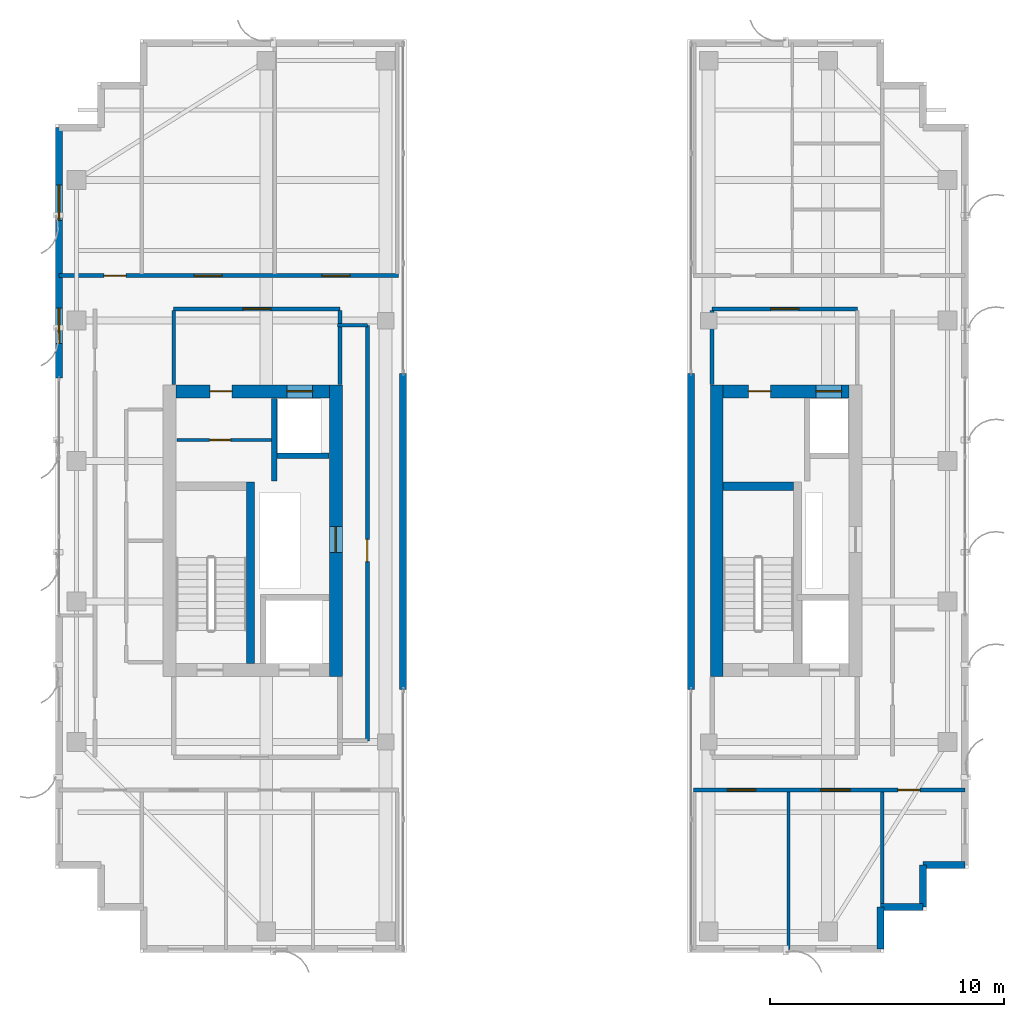
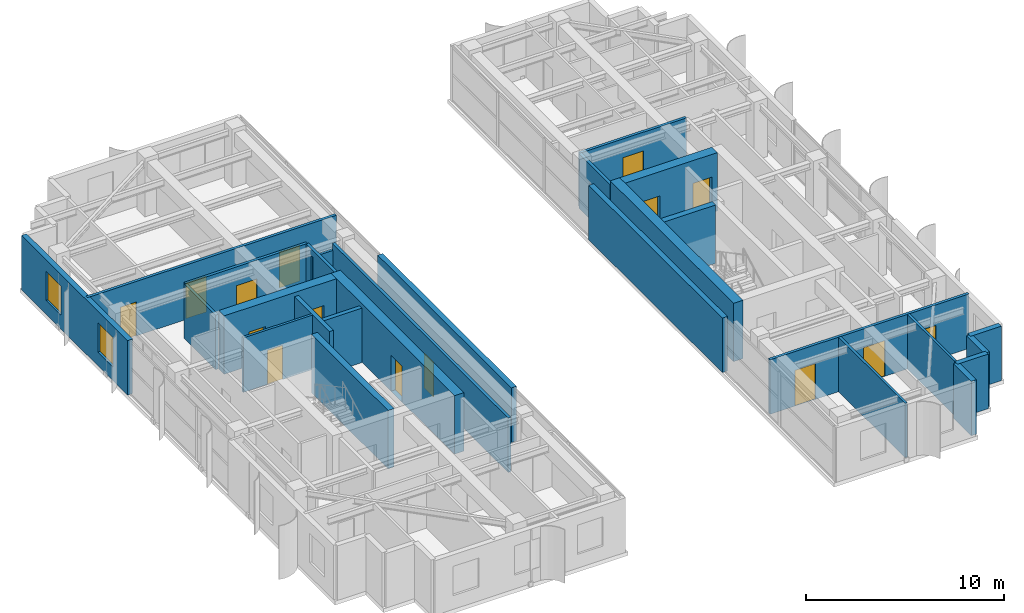
# One storey, part 19 of 24: 27 walls, 15 doors, 2 windows, 17 openings.
"""IFC4 building model written with IfcOpenShell, lengths in metres."""

from ifc_helpers import new_model, si_unit, direction, frame, frame_2d, origin, place, context, subcontext, project, spatial, rectangle, extrude, source, transform, mapped, material, layer, layer_set, type_object, element, fill, save


model = new_model("IFC4")

# Units and contexts
model_context = context("Model", 3, precision=1e-05, world=origin(), true_north=direction((0.0, 1.0)))
body_context = subcontext(model_context, "Body", "Model", "MODEL_VIEW")
ifc_project = project(units=[si_unit("LENGTHUNIT", "METRE"), si_unit("AREAUNIT", "SQUARE_METRE"), si_unit("VOLUMEUNIT", "CUBIC_METRE"), si_unit("PLANEANGLEUNIT", "RADIAN"), si_unit("MASSUNIT", "GRAM", prefix="KILO")], contexts=[model_context])

# Site, building, storey
site_placement = place(None, origin())
site = spatial("IfcSite", under=ifc_project, at=site_placement, CompositionType="ELEMENT")
building_placement = place(site_placement, origin())
building = spatial("IfcBuilding", under=site, at=building_placement, Name="Khoralis Quay Care Tower", CompositionType="ELEMENT")
storey_placement = place(building_placement, frame((0.0, 0.0, 249.300048828125)))
storey = spatial("IfcBuildingStorey", under=building, at=storey_placement, Name="L65", CompositionType="ELEMENT", Elevation=249.300048828125)

# Wall, opening, door
ifc_material_1 = material(Name="Concrete C65/80", Category="concrete")
ifc_layer_1 = layer(ifc_material_1, 0.550048828125)
ifc_layer_set_1 = layer_set([ifc_layer_1], Name="Concrete C65/80")
wall_type_1 = type_object("IfcWallType", Name="WL-CORE-550", PredefinedType="SHEAR", material=ifc_layer_set_1)
wall_1_placement = place(storey_placement, frame((14.97509765625, 14.800048828125, 0.0), z_axis=(0.0, 0.0, 1.0), x_axis=(0.0, 1.0, 0.0)))
wall_1 = element("IfcWall", 1, at=wall_1_placement, inside=storey, type_object=wall_type_1, Name="L65 WCORE East Shear Wall", PredefinedType="SHEAR", context=body_context, shape_type="SweptSolid", body=[
    extrude(rectangle(XDim=12.449951171875, YDim=0.550048828125, at=frame_2d((6.22509765625, 0.0))), origin(), (0.0, 0.0, 1.0), 3.599853515625),
])
opening_1_placement = place(wall_1_placement, frame((5.300048828125, 0.0, 0.0)))
opening_1 = element("IfcOpeningElement", 2, at=opening_1_placement, cuts=wall_1, Name="Opening SD1", PredefinedType="OPENING", context=body_context, shape_type="SweptSolid", body=[
    extrude(rectangle(XDim=1.10009765625, YDim=2.199951171875, at=frame_2d((0.550048828125, 1.10009765625))), frame((0.0, 0.28515625, 0.0), z_axis=(0.0, -1.0, 0.0), x_axis=(1.0, 0.0, 0.0)), (0.0, 0.0, 1.0), 0.570068359375),
])
ifc_material_2 = material(Name="Fire-rated painted steel", Category="steel")
door_type_1 = type_object("IfcDoorType", Name="DR-STAIR-1100X2200", OperationType="NOTDEFINED", PredefinedType="DOOR", material=ifc_material_2)
shared_shape_1 = source(origin(), body_context, "Body", "SweptSolid", [
    extrude(rectangle(XDim=1.10009765625, YDim=2.199951171875, at=frame_2d((0.550048828125, 1.10009765625))), frame((0.0, 0.02490234375, 0.0), z_axis=(0.0, -1.0, 0.0), x_axis=(1.0, 0.0, 0.0)), (0.0, 0.0, 1.0), 0.050048828125),
])
door_1_placement = place(opening_1_placement, origin())
door_1 = element("IfcDoor", 3, at=door_1_placement, inside=storey, type_object=door_type_1, Name="L65 West MEP Riser Door", OperationType="SINGLE_SWING_LEFT", OverallHeight=2.199951171875, OverallWidth=1.10009765625, PredefinedType="DOOR", context=body_context, shape_type="MappedRepresentation", body=[
    mapped(shared_shape_1, transform((0.0, 0.0, 0.0), scale=1.0)),
])
fill(opening_1, door_1)

# Wall, openings, doors
wall_2_placement = place(storey_placement, frame((8.14990234375, 26.97509765625, 0.0), z_axis=(0.0, 0.0, 1.0), x_axis=(1.0, 0.0, 0.0)))
wall_2 = element("IfcWall", 4, at=wall_2_placement, inside=storey, type_object=wall_type_1, Name="L65 WCORE North Shear Wall", PredefinedType="SHEAR", context=body_context, shape_type="SweptSolid", body=[
    extrude(rectangle(XDim=6.550048828125, YDim=0.550048828125, at=frame_2d((3.27490234375, 0.0))), origin(), (0.0, 0.0, 1.0), 3.599853515625),
])
opening_2_placement = place(wall_2_placement, frame((1.449951171875, 0.0, 0.0)))
opening_2 = element("IfcOpeningElement", 5, at=opening_2_placement, cuts=wall_2, Name="Opening ID1", PredefinedType="OPENING", context=body_context, shape_type="SweptSolid", body=[
    extrude(rectangle(XDim=0.949951171875, YDim=2.10009765625, at=frame_2d((0.47509765625, 1.050048828125))), frame((0.0, 0.28515625, 0.0), z_axis=(0.0, -1.0, 0.0), x_axis=(1.0, 0.0, 0.0)), (0.0, 0.0, 1.0), 0.570068359375),
])
opening_3_placement = place(wall_2_placement, frame((4.72998046875, 0.0, 0.0)))
opening_3 = element("IfcOpeningElement", 6, at=opening_3_placement, cuts=wall_2, Name="Opening LD1", PredefinedType="OPENING", context=body_context, shape_type="SweptSolid", body=[
    extrude(rectangle(XDim=1.10009765625, YDim=2.199951171875, at=frame_2d((0.550048828125, 1.10009765625))), frame((0.0, 0.28515625, 0.0), z_axis=(0.0, -1.0, 0.0), x_axis=(1.0, 0.0, 0.0)), (0.0, 0.0, 1.0), 0.570068359375),
])
ifc_material_3 = material(Name="Brushed stainless steel", Category="steel")
door_type_2 = type_object("IfcDoorType", Name="DR-LIFT-1100X2200", OperationType="SLIDING_TO_LEFT", PredefinedType="DOOR", material=ifc_material_3)
shared_shape_2 = source(origin(), body_context, "Body", "SweptSolid", [
    extrude(rectangle(XDim=1.10009765625, YDim=2.199951171875, at=frame_2d((0.550048828125, 1.10009765625))), frame((0.0, 0.02490234375, 0.0), z_axis=(0.0, -1.0, 0.0), x_axis=(1.0, 0.0, 0.0)), (0.0, 0.0, 1.0), 0.050048828125),
])
door_2_placement = place(opening_3_placement, origin())
door_2 = element("IfcDoor", 7, at=door_2_placement, inside=storey, type_object=door_type_2, Name="L65 Lift PLH1 Landing Door", OperationType="SLIDING_TO_LEFT", OverallHeight=2.199951171875, OverallWidth=1.10009765625, PredefinedType="DOOR", context=body_context, shape_type="MappedRepresentation", body=[
    mapped(shared_shape_2, transform((0.0, 0.0, 0.0), scale=1.0)),
])
fill(opening_3, door_2)
ifc_material_4 = material(Name="Acoustic hardwood timber", Category="wood")
door_type_3 = type_object("IfcDoorType", Name="DR-ROOM-950X2100", OperationType="NOTDEFINED", PredefinedType="DOOR", material=ifc_material_4)
shared_shape_3 = source(origin(), body_context, "Body", "SweptSolid", [
    extrude(rectangle(XDim=0.949951171875, YDim=2.10009765625, at=frame_2d((0.47509765625, 1.050048828125))), frame((0.0, 0.02490234375, 0.0), z_axis=(0.0, -1.0, 0.0), x_axis=(1.0, 0.0, 0.0)), (0.0, 0.0, 1.0), 0.050048828125),
])
door_3_placement = place(opening_2_placement, frame((0.949951171875, 0.0, 0.0), z_axis=(0.0, 0.0, 1.0), x_axis=(-1.0, 0.0, 0.0)))
door_3 = element("IfcDoor", 8, at=door_3_placement, inside=storey, type_object=door_type_3, Name="L65 Telemetry Study Door", OperationType="SINGLE_SWING_LEFT", OverallHeight=2.10009765625, OverallWidth=0.949951171875, PredefinedType="DOOR", context=body_context, shape_type="MappedRepresentation", body=[
    mapped(shared_shape_3, transform((0.0, 0.0, 0.0), scale=1.0)),
])
fill(opening_2, door_3)

# Wall
wall_3_placement = place(storey_placement, frame((31.2451171875, 14.800048828125, 0.0), z_axis=(0.0, 0.0, 1.0), x_axis=(0.0, 1.0, 0.0)))
element("IfcWall", 9, at=wall_3_placement, inside=storey, type_object=wall_type_1, Name="L65 ECORE West Shear Wall", PredefinedType="SHEAR", context=body_context, shape_type="SweptSolid", body=[
    extrude(rectangle(XDim=12.449951171875, YDim=0.550048828125, at=frame_2d((6.22509765625, 0.0))), origin(), (0.0, 0.0, 1.0), 3.599853515625),
])

# Wall, openings, doors
wall_4_placement = place(storey_placement, frame((31.52001953125, 26.97509765625, 0.0), z_axis=(0.0, 0.0, 1.0), x_axis=(1.0, 0.0, 0.0)))
wall_4 = element("IfcWall", 10, at=wall_4_placement, inside=storey, type_object=wall_type_1, Name="L65 ECORE North Shear Wall", PredefinedType="SHEAR", context=body_context, shape_type="SweptSolid", body=[
    extrude(rectangle(XDim=5.3798828125, YDim=0.550048828125, at=frame_2d((2.68994140625, 0.0))), origin(), (0.0, 0.0, 1.0), 3.599853515625),
])
opening_4_placement = place(wall_4_placement, frame((1.080078125, 0.0, 0.0)))
opening_4 = element("IfcOpeningElement", 11, at=opening_4_placement, cuts=wall_4, Name="Opening ID1", PredefinedType="OPENING", context=body_context, shape_type="SweptSolid", body=[
    extrude(rectangle(XDim=0.949951171875, YDim=2.10009765625, at=frame_2d((0.47509765625, 1.050048828125))), frame((0.0, 0.28515625, 0.0), z_axis=(0.0, -1.0, 0.0), x_axis=(1.0, 0.0, 0.0)), (0.0, 0.0, 1.0), 0.570068359375),
])
opening_5_placement = place(wall_4_placement, frame((3.9599609375, 0.0, 0.0)))
opening_5 = element("IfcOpeningElement", 12, at=opening_5_placement, cuts=wall_4, Name="Opening LD1", PredefinedType="OPENING", context=body_context, shape_type="SweptSolid", body=[
    extrude(rectangle(XDim=1.10009765625, YDim=2.199951171875, at=frame_2d((0.550048828125, 1.10009765625))), frame((0.0, 0.28515625, 0.0), z_axis=(0.0, -1.0, 0.0), x_axis=(1.0, 0.0, 0.0)), (0.0, 0.0, 1.0), 0.570068359375),
])
door_4_placement = place(opening_5_placement, origin())
door_4 = element("IfcDoor", 13, at=door_4_placement, inside=storey, type_object=door_type_2, Name="L65 Lift PLH2 Landing Door", OperationType="SLIDING_TO_LEFT", OverallHeight=2.199951171875, OverallWidth=1.10009765625, PredefinedType="DOOR", context=body_context, shape_type="MappedRepresentation", body=[
    mapped(shared_shape_2, transform((0.0, 0.0, 0.0), scale=1.0)),
])
fill(opening_5, door_4)
door_5_placement = place(opening_4_placement, frame((0.949951171875, 0.0, 0.0), z_axis=(0.0, 0.0, 1.0), x_axis=(-1.0, 0.0, 0.0)))
door_5 = element("IfcDoor", 14, at=door_5_placement, inside=storey, type_object=door_type_3, Name="L65 Rehab Gym Door", OperationType="SINGLE_SWING_RIGHT", OverallHeight=2.10009765625, OverallWidth=0.949951171875, PredefinedType="DOOR", context=body_context, shape_type="MappedRepresentation", body=[
    mapped(shared_shape_3, transform((0.0, 0.0, 0.0), scale=1.0)),
])
fill(opening_4, door_5)

# Wall, opening, door
ifc_material_5 = material(Name="Gypsum plasterboard on acoustic metal stud")
ifc_layer_2 = layer(ifc_material_5, 0.1650390625)
ifc_layer_set_2 = layer_set([ifc_layer_2], Name="Gypsum plasterboard on acoustic metal stud")
wall_type_2 = type_object("IfcWallType", Name="WL-CORR-165", PredefinedType="PARTITIONING", material=ifc_layer_set_2)
wall_5_placement = place(storey_placement, frame((8.050048828125, 30.5, 0.0), z_axis=(0.0, 0.0, 1.0), x_axis=(1.0, 0.0, 0.0)))
wall_5 = element("IfcWall", 15, at=wall_5_placement, inside=storey, type_object=wall_type_2, Name="L65 West Lift Lobby North Wall", PredefinedType="PARTITIONING", context=body_context, shape_type="SweptSolid", body=[
    extrude(rectangle(XDim=7.099853515625, YDim=0.1650390625, at=frame_2d((3.5498046875, 0.0))), origin(), (0.0, 0.0, 1.0), 3.35986328125),
])
opening_6_placement = place(wall_5_placement, frame((2.949951171875, 0.0, 0.0)))
opening_6 = element("IfcOpeningElement", 16, at=opening_6_placement, cuts=wall_5, Name="Opening FD1", PredefinedType="OPENING", context=body_context, shape_type="SweptSolid", body=[
    extrude(rectangle(XDim=1.199951171875, YDim=2.199951171875, at=frame_2d((0.60009765625, 1.10009765625))), frame((0.0, 0.092529296875, 0.0), z_axis=(0.0, -1.0, 0.0), x_axis=(1.0, 0.0, 0.0)), (0.0, 0.0, 1.0), 0.18505859375),
])
door_type_4 = type_object("IfcDoorType", Name="DR-FFL-1200X2200", OperationType="NOTDEFINED", PredefinedType="DOOR", material=ifc_material_2)
shared_shape_4 = source(origin(), body_context, "Body", "SweptSolid", [
    extrude(rectangle(XDim=1.199951171875, YDim=2.199951171875, at=frame_2d((0.60009765625, 1.10009765625))), frame((0.0, 0.02490234375, 0.0), z_axis=(0.0, -1.0, 0.0), x_axis=(1.0, 0.0, 0.0)), (0.0, 0.0, 1.0), 0.050048828125),
])
door_6_placement = place(opening_6_placement, origin())
door_6 = element("IfcDoor", 17, at=door_6_placement, inside=storey, type_object=door_type_4, Name="L65 West Lift Lobby Double Door", OperationType="DOUBLE_DOOR_SINGLE_SWING", OverallHeight=2.199951171875, OverallWidth=1.199951171875, PredefinedType="DOOR", context=body_context, shape_type="MappedRepresentation", body=[
    mapped(shared_shape_4, transform((0.0, 0.0, 0.0), scale=1.0)),
])
fill(opening_6, door_6)

# Walls
for number, where, z_axis, x_axis, name in (
    (18, (8.050048828125, 27.27001953125, 0.0), (0.0, 0.0, 1.0), (0.0, 1.0, 0.0), "L65 West Lift Lobby West Wall"),
    (19, (15.14990234375, 27.27001953125, 0.0), (0.0, 0.0, 1.0), (0.0, 1.0, 0.0), "L65 West Lift Lobby East Wall"),
):
    element("IfcWall", number, at=place(storey_placement, frame(where, z_axis=z_axis, x_axis=x_axis)), inside=storey, type_object=wall_type_2, Name=name, PredefinedType="PARTITIONING", context=body_context, shape_type="SweptSolid", body=[
        extrude(rectangle(XDim=3.152587890625, YDim=0.1650390625, at=frame_2d((1.576171875, 0.0))), origin(), (0.0, 0.0, 1.0), 3.35986328125),
    ])

# Wall, opening, door
wall_6_placement = place(storey_placement, frame((31.050048828125, 30.5, 0.0), z_axis=(0.0, 0.0, 1.0), x_axis=(1.0, 0.0, 0.0)))
wall_6 = element("IfcWall", 20, at=wall_6_placement, inside=storey, type_object=wall_type_2, Name="L65 East Lift Lobby North Wall", PredefinedType="PARTITIONING", context=body_context, shape_type="SweptSolid", body=[
    extrude(rectangle(XDim=6.199951171875, YDim=0.1650390625, at=frame_2d((3.10009765625, 0.0))), origin(), (0.0, 0.0, 1.0), 3.35986328125),
])
opening_7_placement = place(wall_6_placement, frame((2.5, 0.0, 0.0)))
opening_7 = element("IfcOpeningElement", 21, at=opening_7_placement, cuts=wall_6, Name="Opening FD1", PredefinedType="OPENING", context=body_context, shape_type="SweptSolid", body=[
    extrude(rectangle(XDim=1.199951171875, YDim=2.199951171875, at=frame_2d((0.60009765625, 1.10009765625))), frame((0.0, 0.092529296875, 0.0), z_axis=(0.0, -1.0, 0.0), x_axis=(1.0, 0.0, 0.0)), (0.0, 0.0, 1.0), 0.18505859375),
])
door_7_placement = place(opening_7_placement, origin())
door_7 = element("IfcDoor", 22, at=door_7_placement, inside=storey, type_object=door_type_4, Name="L65 East Lift Lobby Double Door", OperationType="DOUBLE_DOOR_SINGLE_SWING", OverallHeight=2.199951171875, OverallWidth=1.199951171875, PredefinedType="DOOR", context=body_context, shape_type="MappedRepresentation", body=[
    mapped(shared_shape_4, transform((0.0, 0.0, 0.0), scale=1.0)),
])
fill(opening_7, door_7)

# Wall
wall_7_placement = place(storey_placement, frame((31.050048828125, 27.27001953125, 0.0), z_axis=(0.0, 0.0, 1.0), x_axis=(0.0, 1.0, 0.0)))
element("IfcWall", 23, at=wall_7_placement, inside=storey, type_object=wall_type_2, Name="L65 East Lift Lobby West Wall", PredefinedType="PARTITIONING", context=body_context, shape_type="SweptSolid", body=[
    extrude(rectangle(XDim=3.152587890625, YDim=0.1650390625, at=frame_2d((1.576171875, 0.0))), origin(), (0.0, 0.0, 1.0), 3.35986328125),
])

# Wall, openings, doors
wall_8_placement = place(storey_placement, frame((3.14501953125, 31.919921875, 0.0), z_axis=(0.0, 0.0, 1.0), x_axis=(1.0, 0.0, 0.0)))
wall_8 = element("IfcWall", 24, at=wall_8_placement, inside=storey, type_object=wall_type_2, Name="L65 West Wing North Corridor Wall", PredefinedType="PARTITIONING", context=body_context, shape_type="SweptSolid", body=[
    extrude(rectangle(XDim=14.5048828125, YDim=0.1650390625, at=frame_2d((7.25244140625, 0.0))), origin(), (0.0, 0.0, 1.0), 3.35986328125),
])
opening_8_placement = place(wall_8_placement, frame((5.77490234375, 0.0, 0.0)))
opening_8 = element("IfcOpeningElement", 25, at=opening_8_placement, cuts=wall_8, Name="Opening FD1", PredefinedType="OPENING", context=body_context, shape_type="SweptSolid", body=[
    extrude(rectangle(XDim=1.199951171875, YDim=2.199951171875, at=frame_2d((0.60009765625, 1.10009765625))), frame((0.0, 0.092529296875, 0.0), z_axis=(0.0, -1.0, 0.0), x_axis=(1.0, 0.0, 0.0)), (0.0, 0.0, 1.0), 0.18505859375),
])
opening_9_placement = place(wall_8_placement, frame((11.235107421875, 0.0, 0.0)))
opening_9 = element("IfcOpeningElement", 26, at=opening_9_placement, cuts=wall_8, Name="Opening FD1", PredefinedType="OPENING", context=body_context, shape_type="SweptSolid", body=[
    extrude(rectangle(XDim=1.199951171875, YDim=2.199951171875, at=frame_2d((0.60009765625, 1.10009765625))), frame((0.0, 0.092529296875, 0.0), z_axis=(0.0, -1.0, 0.0), x_axis=(1.0, 0.0, 0.0)), (0.0, 0.0, 1.0), 0.18505859375),
])
opening_10_placement = place(wall_8_placement, frame((1.919921875, 0.0, 0.0)))
opening_10 = element("IfcOpeningElement", 27, at=opening_10_placement, cuts=wall_8, Name="Opening ID1", PredefinedType="OPENING", context=body_context, shape_type="SweptSolid", body=[
    extrude(rectangle(XDim=0.949951171875, YDim=2.10009765625, at=frame_2d((0.47509765625, 1.050048828125))), frame((0.0, 0.092529296875, 0.0), z_axis=(0.0, -1.0, 0.0), x_axis=(1.0, 0.0, 0.0)), (0.0, 0.0, 1.0), 0.18505859375),
])
door_8_placement = place(opening_8_placement, origin())
door_8 = element("IfcDoor", 28, at=door_8_placement, inside=storey, type_object=door_type_4, Name="L65 Resident Communal Day Lounge Door", OperationType="DOUBLE_DOOR_SINGLE_SWING", OverallHeight=2.199951171875, OverallWidth=1.199951171875, PredefinedType="DOOR", context=body_context, shape_type="MappedRepresentation", body=[
    mapped(shared_shape_4, transform((0.0, 0.0, 0.0), scale=1.0)),
])
fill(opening_8, door_8)
door_9_placement = place(opening_9_placement, origin())
door_9 = element("IfcDoor", 29, at=door_9_placement, inside=storey, type_object=door_type_4, Name="L65 Resident Communal Day Lounge Door", OperationType="DOUBLE_DOOR_SINGLE_SWING", OverallHeight=2.199951171875, OverallWidth=1.199951171875, PredefinedType="DOOR", context=body_context, shape_type="MappedRepresentation", body=[
    mapped(shared_shape_4, transform((0.0, 0.0, 0.0), scale=1.0)),
])
fill(opening_9, door_9)
door_10_placement = place(opening_10_placement, origin())
door_10 = element("IfcDoor", 30, at=door_10_placement, inside=storey, type_object=door_type_3, Name="L65 NW Corner Door", OperationType="SINGLE_SWING_RIGHT", OverallHeight=2.10009765625, OverallWidth=0.949951171875, PredefinedType="DOOR", context=body_context, shape_type="MappedRepresentation", body=[
    mapped(shared_shape_3, transform((0.0, 0.0, 0.0), scale=1.0)),
])
fill(opening_10, door_10)

# Wall, opening, door
wall_9_placement = place(storey_placement, frame((16.320068359375, 12.050048828125, 0.0), z_axis=(0.0, 0.0, 1.0), x_axis=(0.0, 1.0, 0.0)))
wall_9 = element("IfcWall", 31, at=wall_9_placement, inside=storey, type_object=wall_type_2, Name="L65 Portal Gallery Wall", PredefinedType="PARTITIONING", context=body_context, shape_type="SweptSolid", body=[
    extrude(rectangle(XDim=17.75, YDim=0.1650390625, at=frame_2d((8.875, 0.0))), origin(), (0.0, 0.0, 1.0), 3.35986328125),
])
opening_11_placement = place(wall_9_placement, frame((7.64990234375, 0.0, 0.0)))
opening_11 = element("IfcOpeningElement", 32, at=opening_11_placement, cuts=wall_9, Name="Opening ID1", PredefinedType="OPENING", context=body_context, shape_type="SweptSolid", body=[
    extrude(rectangle(XDim=0.949951171875, YDim=2.10009765625, at=frame_2d((0.47509765625, 1.050048828125))), frame((0.0, 0.092529296875, 0.0), z_axis=(0.0, -1.0, 0.0), x_axis=(1.0, 0.0, 0.0)), (0.0, 0.0, 1.0), 0.18505859375),
])
door_11_placement = place(opening_11_placement, frame((0.949951171875, 0.0, 0.0), z_axis=(0.0, 0.0, 1.0), x_axis=(-1.0, 0.0, 0.0)))
door_11 = element("IfcDoor", 33, at=door_11_placement, inside=storey, type_object=door_type_3, Name="L65 Portal Reading Lounge Door", OperationType="SINGLE_SWING_LEFT", OverallHeight=2.10009765625, OverallWidth=0.949951171875, PredefinedType="DOOR", context=body_context, shape_type="MappedRepresentation", body=[
    mapped(shared_shape_3, transform((0.0, 0.0, 0.0), scale=1.0)),
])
fill(opening_11, door_11)

# Wall, openings, doors
wall_10_placement = place(storey_placement, frame((30.25, 9.949951171875, 0.0), z_axis=(0.0, 0.0, 1.0), x_axis=(1.0, 0.0, 0.0)))
wall_10 = element("IfcWall", 34, at=wall_10_placement, inside=storey, type_object=wall_type_2, Name="L65 East Wing South Corridor Wall", PredefinedType="PARTITIONING", context=body_context, shape_type="SweptSolid", body=[
    extrude(rectangle(XDim=11.60498046875, YDim=0.1650390625, at=frame_2d((5.802490234375, 0.0))), origin(), (0.0, 0.0, 1.0), 3.35986328125),
])
opening_12_placement = place(wall_10_placement, frame((1.455078125, 0.0, 0.0)))
opening_12 = element("IfcOpeningElement", 35, at=opening_12_placement, cuts=wall_10, Name="Opening FD1", PredefinedType="OPENING", context=body_context, shape_type="SweptSolid", body=[
    extrude(rectangle(XDim=1.199951171875, YDim=2.199951171875, at=frame_2d((0.60009765625, 1.10009765625))), frame((0.0, 0.092529296875, 0.0), z_axis=(0.0, -1.0, 0.0), x_axis=(1.0, 0.0, 0.0)), (0.0, 0.0, 1.0), 0.18505859375),
])
opening_13_placement = place(wall_10_placement, frame((5.43994140625, 0.0, 0.0)))
opening_13 = element("IfcOpeningElement", 36, at=opening_13_placement, cuts=wall_10, Name="Opening CD1", PredefinedType="OPENING", context=body_context, shape_type="SweptSolid", body=[
    extrude(rectangle(XDim=1.25, YDim=2.199951171875, at=frame_2d((0.625, 1.10009765625))), frame((0.0, 0.092529296875, 0.0), z_axis=(0.0, -1.0, 0.0), x_axis=(1.0, 0.0, 0.0)), (0.0, 0.0, 1.0), 0.18505859375),
])
opening_14_placement = place(wall_10_placement, frame((8.735107421875, 0.0, 0.0)))
opening_14 = element("IfcOpeningElement", 37, at=opening_14_placement, cuts=wall_10, Name="Opening ID1", PredefinedType="OPENING", context=body_context, shape_type="SweptSolid", body=[
    extrude(rectangle(XDim=0.949951171875, YDim=2.10009765625, at=frame_2d((0.47509765625, 1.050048828125))), frame((0.0, 0.092529296875, 0.0), z_axis=(0.0, -1.0, 0.0), x_axis=(1.0, 0.0, 0.0)), (0.0, 0.0, 1.0), 0.18505859375),
])
door_12_placement = place(opening_12_placement, frame((1.199951171875, 0.0, 0.0), z_axis=(0.0, 0.0, 1.0), x_axis=(-1.0, 0.0, 0.0)))
door_12 = element("IfcDoor", 38, at=door_12_placement, inside=storey, type_object=door_type_4, Name="L65 Resident Communal Day Lounge Door", OperationType="DOUBLE_DOOR_SINGLE_SWING", OverallHeight=2.199951171875, OverallWidth=1.199951171875, PredefinedType="DOOR", context=body_context, shape_type="MappedRepresentation", body=[
    mapped(shared_shape_4, transform((0.0, 0.0, 0.0), scale=1.0)),
])
fill(opening_12, door_12)
door_type_5 = type_object("IfcDoorType", Name="DR-CARE-1250X2200", OperationType="NOTDEFINED", PredefinedType="DOOR", material=ifc_material_4)
shared_shape_5 = source(origin(), body_context, "Body", "SweptSolid", [
    extrude(rectangle(XDim=1.25, YDim=2.199951171875, at=frame_2d((0.625, 1.10009765625))), frame((0.0, 0.02490234375, 0.0), z_axis=(0.0, -1.0, 0.0), x_axis=(1.0, 0.0, 0.0)), (0.0, 0.0, 1.0), 0.050048828125),
])
door_13_placement = place(opening_13_placement, frame((1.25, 0.0, 0.0), z_axis=(0.0, 0.0, 1.0), x_axis=(-1.0, 0.0, 0.0)))
door_13 = element("IfcDoor", 39, at=door_13_placement, inside=storey, type_object=door_type_5, Name="L65 Geriatric Consultation Clinic Door", OperationType="SINGLE_SWING_LEFT", OverallHeight=2.199951171875, OverallWidth=1.25, PredefinedType="DOOR", context=body_context, shape_type="MappedRepresentation", body=[
    mapped(shared_shape_5, transform((0.0, 0.0, 0.0), scale=1.0)),
])
fill(opening_13, door_13)
door_14_placement = place(opening_14_placement, frame((0.949951171875, 0.0, 0.0), z_axis=(0.0, 0.0, 1.0), x_axis=(-1.0, 0.0, 0.0)))
door_14 = element("IfcDoor", 40, at=door_14_placement, inside=storey, type_object=door_type_3, Name="L65 SE Corner Door", OperationType="SINGLE_SWING_RIGHT", OverallHeight=2.10009765625, OverallWidth=0.949951171875, PredefinedType="DOOR", context=body_context, shape_type="MappedRepresentation", body=[
    mapped(shared_shape_3, transform((0.0, 0.0, 0.0), scale=1.0)),
])
fill(opening_14, door_14)

# Wall
ifc_material_6 = material(Name="Precast concrete C45/55", Category="concrete")
ifc_layer_3 = layer(ifc_material_6, 0.300048828125)
ifc_layer_set_3 = layer_set([ifc_layer_3], Name="Precast concrete C45/55")
wall_type_3 = type_object("IfcWallType", Name="WL-EXT-REF-300", PredefinedType="SOLIDWALL", material=ifc_layer_set_3)
wall_11_placement = place(storey_placement, frame((17.85009765625, 14.25, 0.0), z_axis=(0.0, 0.0, 1.0), x_axis=(0.0, 1.0, 0.0)))
element("IfcWall", 41, at=wall_11_placement, inside=storey, type_object=wall_type_3, Name="L65 External Facade Wall WL-VP-L65-P1-M", PredefinedType="SOLIDWALL", context=body_context, shape_type="SweptSolid", body=[
    extrude(rectangle(XDim=13.5, YDim=0.300048828125, at=frame_2d((6.75, 0.0))), origin(), (0.0, 0.0, 1.0), 3.35986328125),
])

# Wall, openings, windows
wall_12_placement = place(storey_placement, frame((3.14990234375, 38.25, 0.0), z_axis=(0.0, 0.0, 1.0), x_axis=(0.0, -1.0, 0.0)))
wall_12 = element("IfcWall", 42, at=wall_12_placement, inside=storey, type_object=wall_type_3, Name="L65 External Facade Wall WL-EXT-L65-P1-E7A", PredefinedType="SOLIDWALL", context=body_context, shape_type="SweptSolid", body=[
    extrude(rectangle(XDim=10.7099609375, YDim=0.300048828125, at=frame_2d((5.35498046875, 0.0))), origin(), (0.0, 0.0, 1.0), 3.35986328125),
])
opening_15_placement = place(wall_12_placement, frame((2.465087890625, 0.0, 0.85009765625)))
opening_15 = element("IfcOpeningElement", 43, at=opening_15_placement, cuts=wall_12, Name="Opening W3", PredefinedType="OPENING", context=body_context, shape_type="SweptSolid", body=[
    extrude(rectangle(XDim=1.5, YDim=1.800048828125, at=frame_2d((0.75, 0.89990234375))), frame((0.0, 0.16015625, 0.0), z_axis=(0.0, -1.0, 0.0), x_axis=(1.0, 0.0, 0.0)), (0.0, 0.0, 1.0), 0.320068359375),
])
opening_16_placement = place(wall_12_placement, frame((7.719970703125, 0.0, 0.85009765625)))
opening_16 = element("IfcOpeningElement", 44, at=opening_16_placement, cuts=wall_12, Name="Opening W3", PredefinedType="OPENING", context=body_context, shape_type="SweptSolid", body=[
    extrude(rectangle(XDim=1.5, YDim=1.800048828125, at=frame_2d((0.75, 0.89990234375))), frame((0.0, 0.16015625, 0.0), z_axis=(0.0, -1.0, 0.0), x_axis=(1.0, 0.0, 0.0)), (0.0, 0.0, 1.0), 0.320068359375),
])
ifc_material_7 = material(Name="Low-E solar-control double glazing", Category="glass")
window_type = type_object("IfcWindowType", Name="WN-CLIN-1500X1800", PartitioningType="SINGLE_PANEL", PredefinedType="WINDOW", material=ifc_material_7)
shared_shape_6 = source(origin(), body_context, "Body", "SweptSolid", [
    extrude(rectangle(XDim=1.5, YDim=1.800048828125, at=frame_2d((0.75, 0.89990234375))), frame((0.0, 0.030029296875, 0.0), z_axis=(0.0, -1.0, 0.0), x_axis=(1.0, 0.0, 0.0)), (0.0, 0.0, 1.0), 0.06005859375),
])
window_1_placement = place(opening_15_placement, origin())
window_1 = element("IfcWindow", 45, at=window_1_placement, inside=storey, type_object=window_type, Name="WN-L65-P1-E7A Facade Window 01", OverallHeight=1.800048828125, OverallWidth=1.5, PartitioningType="SINGLE_PANEL", PredefinedType="WINDOW", context=body_context, shape_type="MappedRepresentation", body=[
    mapped(shared_shape_6, transform((0.0, 0.0, 0.0), scale=1.0)),
])
fill(opening_15, window_1)
window_2_placement = place(opening_16_placement, origin())
window_2 = element("IfcWindow", 46, at=window_2_placement, inside=storey, type_object=window_type, Name="WN-L65-P1-E7A Facade Window 02", OverallHeight=1.800048828125, OverallWidth=1.5, PartitioningType="SINGLE_PANEL", PredefinedType="WINDOW", context=body_context, shape_type="MappedRepresentation", body=[
    mapped(shared_shape_6, transform((0.0, 0.0, 0.0), scale=1.0)),
])
fill(opening_16, window_2)

# Walls
for number, where, z_axis, x_axis, name in (
    (47, (38.25, 3.14990234375, 0.0), (0.0, 0.0, 1.0), (0.0, 1.0, 0.0), "L65 External Facade Wall WL-EXT-L65-P2-C1"),
    (48, (38.25, 4.949951171875, 0.0), (0.0, 0.0, 1.0), (1.0, 0.0, 0.0), "L65 External Facade Wall WL-EXT-L65-P2-C2"),
    (49, (40.050048828125, 4.949951171875, 0.0), (0.0, 0.0, 1.0), (0.0, 1.0, 0.0), "L65 External Facade Wall WL-EXT-L65-P2-C3"),
    (50, (40.050048828125, 6.75, 0.0), (0.0, 0.0, 1.0), (1.0, 0.0, 0.0), "L65 External Facade Wall WL-EXT-L65-P2-C4"),
):
    element("IfcWall", number, at=place(storey_placement, frame(where, z_axis=z_axis, x_axis=x_axis)), inside=storey, type_object=wall_type_3, Name=name, PredefinedType="SOLIDWALL", context=body_context, shape_type="SweptSolid", body=[
        extrude(rectangle(XDim=1.800048828125, YDim=0.300048828125, at=frame_2d((0.89990234375, 0.0))), origin(), (0.0, 0.0, 1.0), 3.35986328125),
    ])
wall_13_placement = place(storey_placement, frame((30.14990234375, 14.25, 0.0), z_axis=(0.0, 0.0, 1.0), x_axis=(0.0, 1.0, 0.0)))
element("IfcWall", 51, at=wall_13_placement, inside=storey, type_object=wall_type_3, Name="L65 External Facade Wall WL-VP-L65-P2-M", PredefinedType="SOLIDWALL", context=body_context, shape_type="SweptSolid", body=[
    extrude(rectangle(XDim=13.5, YDim=0.300048828125, at=frame_2d((6.75, 0.0))), origin(), (0.0, 0.0, 1.0), 3.35986328125),
])
ifc_material_8 = material(Name="Concrete C40/50", Category="concrete")
ifc_layer_4 = layer(ifc_material_8, 0.35009765625)
ifc_layer_set_4 = layer_set([ifc_layer_4], Name="Concrete C40/50")
wall_type_4 = type_object("IfcWallType", Name="WL-SC-CORE-350", PredefinedType="SHEAR", material=ifc_layer_set_4)
wall_14_placement = place(storey_placement, frame((11.324951171875, 15.35009765625, 0.0), z_axis=(0.0, 0.0, 1.0), x_axis=(0.0, 1.0, 0.0)))
element("IfcWall", 52, at=wall_14_placement, inside=storey, type_object=wall_type_4, Name="L65 Stair ST-T1 Shear Baffle Wall East", PredefinedType="SHEAR", context=body_context, shape_type="SweptSolid", body=[
    extrude(rectangle(XDim=7.75, YDim=0.35009765625, at=frame_2d((3.875, 0.0))), origin(), (0.0, 0.0, 1.0), 3.599853515625),
])
wall_15_placement = place(storey_placement, frame((31.52001953125, 22.925048828125, 0.0), z_axis=(0.0, 0.0, 1.0), x_axis=(1.0, 0.0, 0.0)))
element("IfcWall", 53, at=wall_15_placement, inside=storey, type_object=wall_type_4, Name="L65 Stair ST-T2 Shear Baffle Wall North", PredefinedType="SHEAR", context=body_context, shape_type="SweptSolid", body=[
    extrude(rectangle(XDim=3.0, YDim=0.35009765625, at=frame_2d((1.5, 0.0))), origin(), (0.0, 0.0, 1.0), 3.599853515625),
])
ifc_layer_5 = layer(ifc_material_5, 0.239990234375)
ifc_layer_set_5 = layer_set([ifc_layer_5], Name="Gypsum plasterboard on acoustic metal stud")
wall_type_5 = type_object("IfcWallType", Name="WL-SHAFT-240", PredefinedType="PARTITIONING", material=ifc_layer_set_5)
wall_16_placement = place(storey_placement, frame((12.35009765625, 23.139892578125, 0.0), z_axis=(0.0, 0.0, 1.0), x_axis=(0.0, 1.0, 0.0)))
element("IfcWall", 54, at=wall_16_placement, inside=storey, type_object=wall_type_5, Name="L65 High-Rise Reclaimed Bay Wall West", PredefinedType="PARTITIONING", context=body_context, shape_type="SweptSolid", body=[
    extrude(rectangle(XDim=3.5400390625, YDim=0.239990234375, at=frame_2d((1.77001953125, 0.0))), origin(), (0.0, 0.0, 1.0), 3.35986328125),
])
wall_17_placement = place(storey_placement, frame((12.465087890625, 24.22998046875, 0.0), z_axis=(0.0, 0.0, 1.0), x_axis=(1.0, 0.0, 0.0)))
element("IfcWall", 55, at=wall_17_placement, inside=storey, type_object=wall_type_5, Name="L65 High-Rise Shaft South Wall West", PredefinedType="PARTITIONING", context=body_context, shape_type="SweptSolid", body=[
    extrude(rectangle(XDim=2.21484375, YDim=0.239990234375, at=frame_2d((1.107421875, 0.0))), origin(), (0.0, 0.0, 1.0), 3.35986328125),
])

# Wall, opening, door
ifc_layer_6 = layer(ifc_material_5, 0.139892578125)
ifc_layer_set_6 = layer_set([ifc_layer_6], Name="Gypsum plasterboard on acoustic metal stud")
wall_type_6 = type_object("IfcWallType", Name="WL-UNIT-140", PredefinedType="PARTITIONING", material=ifc_layer_set_6)
wall_18_placement = place(storey_placement, frame((8.179931640625, 24.89990234375, 0.0), z_axis=(0.0, 0.0, 1.0), x_axis=(1.0, 0.0, 0.0)))
wall_18 = element("IfcWall", 56, at=wall_18_placement, inside=storey, type_object=wall_type_6, Name="L65 High-Rise West Core Split H", PredefinedType="PARTITIONING", context=body_context, shape_type="SweptSolid", body=[
    extrude(rectangle(XDim=4.05517578125, YDim=0.139892578125, at=frame_2d((2.027587890625, 0.0))), origin(), (0.0, 0.0, 1.0), 3.35986328125),
])
opening_17_placement = place(wall_18_placement, frame((1.39990234375, 0.0, 0.0)))
opening_17 = element("IfcOpeningElement", 57, at=opening_17_placement, cuts=wall_18, Name="Opening WD1", PredefinedType="OPENING", context=body_context, shape_type="SweptSolid", body=[
    extrude(rectangle(XDim=0.89990234375, YDim=2.10009765625, at=frame_2d((0.449951171875, 1.050048828125))), frame((0.0, 0.080078125, 0.0), z_axis=(0.0, -1.0, 0.0), x_axis=(1.0, 0.0, 0.0)), (0.0, 0.0, 1.0), 0.159912109375),
])
door_type_6 = type_object("IfcDoorType", Name="DR-BATH-900X2100", OperationType="NOTDEFINED", PredefinedType="DOOR", material=ifc_material_4)
shared_shape_7 = source(origin(), body_context, "Body", "SweptSolid", [
    extrude(rectangle(XDim=0.89990234375, YDim=2.10009765625, at=frame_2d((0.449951171875, 1.050048828125))), frame((0.0, 0.02490234375, 0.0), z_axis=(0.0, -1.0, 0.0), x_axis=(1.0, 0.0, 0.0)), (0.0, 0.0, 1.0), 0.050048828125),
])
door_15_placement = place(opening_17_placement, frame((0.89990234375, 0.0, 0.0), z_axis=(0.0, 0.0, 1.0), x_axis=(-1.0, 0.0, 0.0)))
door_15 = element("IfcDoor", 58, at=door_15_placement, inside=storey, type_object=door_type_6, Name="L65 Medical Supply Store Door", OperationType="SINGLE_SWING_LEFT", OverallHeight=2.10009765625, OverallWidth=0.89990234375, PredefinedType="DOOR", context=body_context, shape_type="MappedRepresentation", body=[
    mapped(shared_shape_7, transform((0.0, 0.0, 0.0), scale=1.0)),
])
fill(opening_17, door_15)

# Walls
wall_19_placement = place(storey_placement, frame((34.31005859375, 3.14501953125, 0.0), z_axis=(0.0, 0.0, 1.0), x_axis=(0.0, 1.0, 0.0)))
element("IfcWall", 59, at=wall_19_placement, inside=storey, type_object=wall_type_6, Name="L65 ES Demising Wall 1", PredefinedType="PARTITIONING", context=body_context, shape_type="SweptSolid", body=[
    extrude(rectangle(XDim=6.7275390625, YDim=0.139892578125, at=frame_2d((3.36376953125, 0.0))), origin(), (0.0, 0.0, 1.0), 3.35986328125),
])
wall_20_placement = place(storey_placement, frame((38.320068359375, 4.945068359375, 0.0), z_axis=(0.0, 0.0, 1.0), x_axis=(0.0, 1.0, 0.0)))
element("IfcWall", 60, at=wall_20_placement, inside=storey, type_object=wall_type_6, Name="L65 ES Demising Wall 2", PredefinedType="PARTITIONING", context=body_context, shape_type="SweptSolid", body=[
    extrude(rectangle(XDim=4.927490234375, YDim=0.139892578125, at=frame_2d((2.4638671875, 0.0))), origin(), (0.0, 0.0, 1.0), 3.35986328125),
])
wall_21_placement = place(storey_placement, frame((15.050048828125, 29.800048828125, 0.0), z_axis=(0.0, 0.0, 1.0), x_axis=(1.0, 0.0, 0.0)))
element("IfcWall", 61, at=wall_21_placement, inside=storey, type_object=wall_type_6, Name="L65 Portal Alcove North Wall", PredefinedType="PARTITIONING", context=body_context, shape_type="SweptSolid", body=[
    extrude(rectangle(XDim=1.27001953125, YDim=0.139892578125, at=frame_2d((0.635009765625, 0.0))), origin(), (0.0, 0.0, 1.0), 2.9599609375),
])

save(model, "model.ifc")
